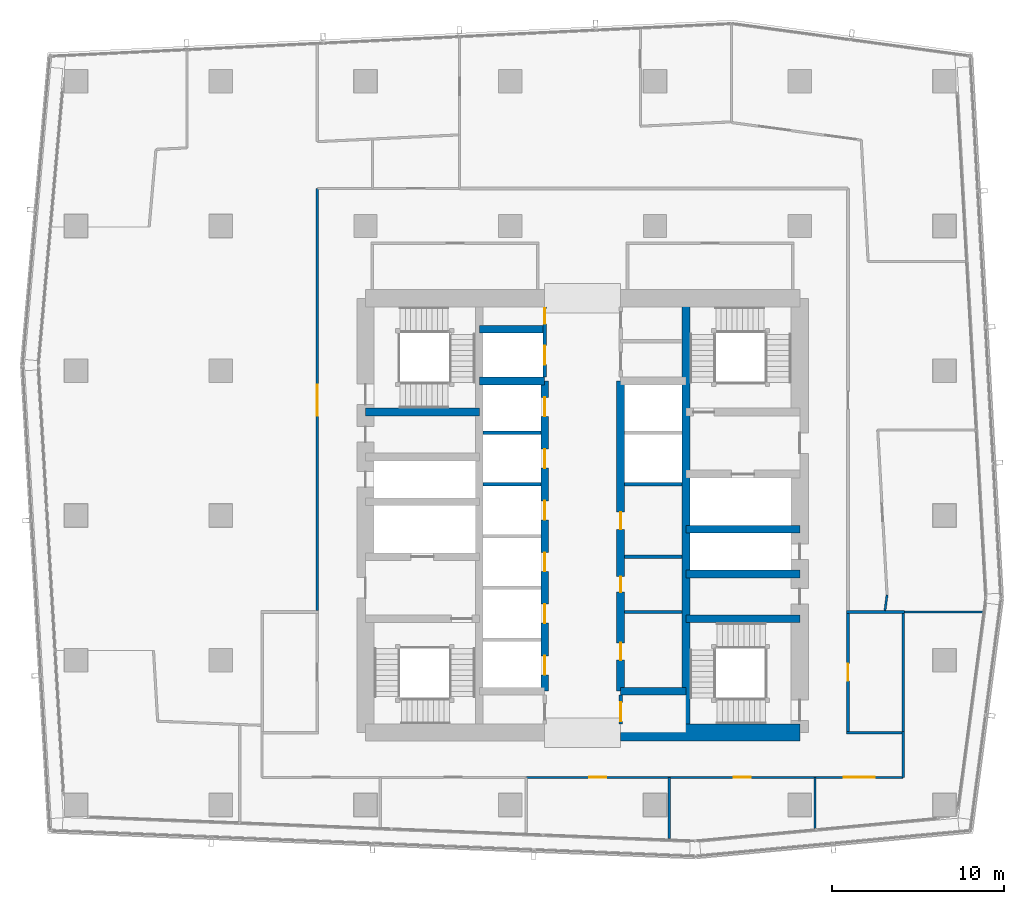
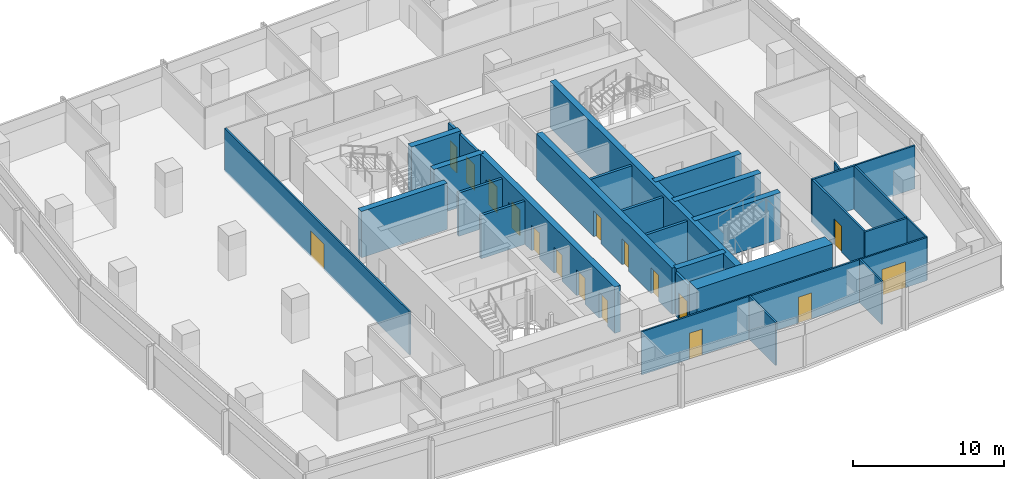
# One storey, part 28 of 40: 31 walls, 17 doors, 17 openings.
"""IFC4 building model written with IfcOpenShell, lengths in metres."""

from ifc_helpers import new_model, si_unit, direction, frame, frame_2d, origin, place, context, subcontext, project, spatial, rectangle, extrude, material, layer, layer_set, type_object, element, fill, save


model = new_model("IFC4")

# Units and contexts
model_context = context("Model", 3, precision=1e-05, world=origin(), true_north=direction((0.0, 1.0)))
body_context = subcontext(model_context, "Body", "Model", "MODEL_VIEW")
ifc_project = project(units=[si_unit("LENGTHUNIT", "METRE"), si_unit("AREAUNIT", "SQUARE_METRE"), si_unit("VOLUMEUNIT", "CUBIC_METRE"), si_unit("PLANEANGLEUNIT", "RADIAN"), si_unit("MASSUNIT", "GRAM", prefix="KILO")], contexts=[model_context])

# Site, building, storey
site_placement = place(None, origin())
site = spatial("IfcSite", under=ifc_project, at=site_placement, CompositionType="ELEMENT")
building_placement = place(site_placement, origin())
building = spatial("IfcBuilding", under=site, at=building_placement, Name="Rekha Terrace Tower", CompositionType="ELEMENT")
storey_placement = place(building_placement, frame((0.0, 0.0, 213.949951171875)))
storey = spatial("IfcBuildingStorey", under=building, at=storey_placement, Name="L54", CompositionType="ELEMENT", Elevation=213.949951171875)

# Wall
ifc_material_1 = material(Name="Concrete M60", Category="concrete")
ifc_layer_1 = layer(ifc_material_1, 0.449951171875)
ifc_layer_set_1 = layer_set([ifc_layer_1], Name="Concrete M60")
wall_type_1 = type_object("IfcWallType", Name="CI3 450 core internal shear wall", PredefinedType="SHEAR", material=ifc_layer_set_1)
wall_1_placement = place(storey_placement, frame((43.800048828125, 21.0, 0.0), z_axis=(0.0, 0.0, 1.0), x_axis=(0.0, 1.0, 0.0)))
element("IfcWall", 1, at=wall_1_placement, inside=storey, type_object=wall_type_1, Name="Core wall X438 L54", PredefinedType="SHEAR", context=body_context, shape_type="SweptSolid", body=[
    extrude(rectangle(XDim=25.199951171875, YDim=0.449951171875, at=frame_2d((12.60009765625, 0.0))), origin(), (0.0, 0.0, 1.0), 3.75),
])

# Wall, openings, doors
wall_2_placement = place(storey_placement, frame((35.60009765625, 23.39990234375, 0.0), z_axis=(0.0, 0.0, 1.0), x_axis=(0.0, 1.0, 0.0)))
wall_2 = element("IfcWall", 2, at=wall_2_placement, inside=storey, type_object=wall_type_1, Name="Core wall X356 L54", PredefinedType="SHEAR", context=body_context, shape_type="SweptSolid", body=[
    extrude(rectangle(XDim=18.0, YDim=0.449951171875, at=frame_2d((9.0, 0.0))), origin(), (0.0, 0.0, 1.0), 3.75),
])
opening_1_placement = place(wall_2_placement, frame((0.949951171875, 0.0, 0.0)))
opening_1 = element("IfcOpeningElement", 3, at=opening_1_placement, cuts=wall_2, Name="Opening LD1", PredefinedType="OPENING", context=body_context, shape_type="SweptSolid", body=[
    extrude(rectangle(XDim=1.10009765625, YDim=2.10009765625, at=frame_2d((0.550048828125, 1.050048828125))), frame((0.0, 0.23486328125, 0.0), z_axis=(0.0, -1.0, 0.0), x_axis=(1.0, 0.0, 0.0)), (0.0, 0.0, 1.0), 0.469970703125),
])
opening_2_placement = place(wall_2_placement, frame((3.949951171875, 0.0, 0.0)))
opening_2 = element("IfcOpeningElement", 4, at=opening_2_placement, cuts=wall_2, Name="Opening LD1", PredefinedType="OPENING", context=body_context, shape_type="SweptSolid", body=[
    extrude(rectangle(XDim=1.10009765625, YDim=2.10009765625, at=frame_2d((0.550048828125, 1.050048828125))), frame((0.0, 0.23486328125, 0.0), z_axis=(0.0, -1.0, 0.0), x_axis=(1.0, 0.0, 0.0)), (0.0, 0.0, 1.0), 0.469970703125),
])
opening_3_placement = place(wall_2_placement, frame((6.949951171875, 0.0, 0.0)))
opening_3 = element("IfcOpeningElement", 5, at=opening_3_placement, cuts=wall_2, Name="Opening LD1", PredefinedType="OPENING", context=body_context, shape_type="SweptSolid", body=[
    extrude(rectangle(XDim=1.10009765625, YDim=2.10009765625, at=frame_2d((0.550048828125, 1.050048828125))), frame((0.0, 0.23486328125, 0.0), z_axis=(0.0, -1.0, 0.0), x_axis=(1.0, 0.0, 0.0)), (0.0, 0.0, 1.0), 0.469970703125),
])
opening_4_placement = place(wall_2_placement, frame((9.949951171875, 0.0, 0.0)))
opening_4 = element("IfcOpeningElement", 6, at=opening_4_placement, cuts=wall_2, Name="Opening LD1", PredefinedType="OPENING", context=body_context, shape_type="SweptSolid", body=[
    extrude(rectangle(XDim=1.10009765625, YDim=2.10009765625, at=frame_2d((0.550048828125, 1.050048828125))), frame((0.0, 0.23486328125, 0.0), z_axis=(0.0, -1.0, 0.0), x_axis=(1.0, 0.0, 0.0)), (0.0, 0.0, 1.0), 0.469970703125),
])
opening_5_placement = place(wall_2_placement, frame((12.949951171875, 0.0, 0.0)))
opening_5 = element("IfcOpeningElement", 7, at=opening_5_placement, cuts=wall_2, Name="Opening LD1", PredefinedType="OPENING", context=body_context, shape_type="SweptSolid", body=[
    extrude(rectangle(XDim=1.10009765625, YDim=2.10009765625, at=frame_2d((0.550048828125, 1.050048828125))), frame((0.0, 0.23486328125, 0.0), z_axis=(0.0, -1.0, 0.0), x_axis=(1.0, 0.0, 0.0)), (0.0, 0.0, 1.0), 0.469970703125),
])
opening_6_placement = place(wall_2_placement, frame((15.949951171875, 0.0, 0.0)))
opening_6 = element("IfcOpeningElement", 8, at=opening_6_placement, cuts=wall_2, Name="Opening LD1", PredefinedType="OPENING", context=body_context, shape_type="SweptSolid", body=[
    extrude(rectangle(XDim=1.10009765625, YDim=2.10009765625, at=frame_2d((0.550048828125, 1.050048828125))), frame((0.0, 0.23486328125, 0.0), z_axis=(0.0, -1.0, 0.0), x_axis=(1.0, 0.0, 0.0)), (0.0, 0.0, 1.0), 0.469970703125),
])
ifc_material_2 = material(Name="Stainless steel sliding landing door", Category="steel")
door_type_1 = type_object("IfcDoorType", Name="LD1 1100x2100 lift landing door", OperationType="SLIDING_TO_LEFT", PredefinedType="USERDEFINED", material=ifc_material_2)
door_1_placement = place(opening_1_placement, origin())
door_1 = element("IfcDoor", 9, at=door_1_placement, inside=storey, type_object=door_type_1, Name="Lift C1 landing door L54", ObjectType="LIFT LANDING DOOR", OperationType="SLIDING_TO_LEFT", OverallHeight=2.10009765625, OverallWidth=1.10009765625, PredefinedType="USERDEFINED", context=body_context, shape_type="SweptSolid", body=[
    extrude(rectangle(XDim=1.10009765625, YDim=2.10009765625, at=frame_2d((0.550048828125, 1.050048828125))), frame((0.0, 0.02490234375, 0.0), z_axis=(0.0, -1.0, 0.0), x_axis=(1.0, 0.0, 0.0)), (0.0, 0.0, 1.0), 0.050048828125),
])
fill(opening_1, door_1)
door_2_placement = place(opening_2_placement, origin())
door_2 = element("IfcDoor", 10, at=door_2_placement, inside=storey, type_object=door_type_1, Name="Lift C2 landing door L54", ObjectType="LIFT LANDING DOOR", OperationType="SLIDING_TO_LEFT", OverallHeight=2.10009765625, OverallWidth=1.10009765625, PredefinedType="USERDEFINED", context=body_context, shape_type="SweptSolid", body=[
    extrude(rectangle(XDim=1.10009765625, YDim=2.10009765625, at=frame_2d((0.550048828125, 1.050048828125))), frame((0.0, 0.02490234375, 0.0), z_axis=(0.0, -1.0, 0.0), x_axis=(1.0, 0.0, 0.0)), (0.0, 0.0, 1.0), 0.050048828125),
])
fill(opening_2, door_2)
door_3_placement = place(opening_3_placement, origin())
door_3 = element("IfcDoor", 11, at=door_3_placement, inside=storey, type_object=door_type_1, Name="Lift C3 landing door L54", ObjectType="LIFT LANDING DOOR", OperationType="SLIDING_TO_LEFT", OverallHeight=2.10009765625, OverallWidth=1.10009765625, PredefinedType="USERDEFINED", context=body_context, shape_type="SweptSolid", body=[
    extrude(rectangle(XDim=1.10009765625, YDim=2.10009765625, at=frame_2d((0.550048828125, 1.050048828125))), frame((0.0, 0.02490234375, 0.0), z_axis=(0.0, -1.0, 0.0), x_axis=(1.0, 0.0, 0.0)), (0.0, 0.0, 1.0), 0.050048828125),
])
fill(opening_3, door_3)
door_4_placement = place(opening_4_placement, origin())
door_4 = element("IfcDoor", 12, at=door_4_placement, inside=storey, type_object=door_type_1, Name="Lift C4 landing door L54", ObjectType="LIFT LANDING DOOR", OperationType="SLIDING_TO_LEFT", OverallHeight=2.10009765625, OverallWidth=1.10009765625, PredefinedType="USERDEFINED", context=body_context, shape_type="SweptSolid", body=[
    extrude(rectangle(XDim=1.10009765625, YDim=2.10009765625, at=frame_2d((0.550048828125, 1.050048828125))), frame((0.0, 0.02490234375, 0.0), z_axis=(0.0, -1.0, 0.0), x_axis=(1.0, 0.0, 0.0)), (0.0, 0.0, 1.0), 0.050048828125),
])
fill(opening_4, door_4)
door_5_placement = place(opening_5_placement, origin())
door_5 = element("IfcDoor", 13, at=door_5_placement, inside=storey, type_object=door_type_1, Name="Lift C5 landing door L54", ObjectType="LIFT LANDING DOOR", OperationType="SLIDING_TO_LEFT", OverallHeight=2.10009765625, OverallWidth=1.10009765625, PredefinedType="USERDEFINED", context=body_context, shape_type="SweptSolid", body=[
    extrude(rectangle(XDim=1.10009765625, YDim=2.10009765625, at=frame_2d((0.550048828125, 1.050048828125))), frame((0.0, 0.02490234375, 0.0), z_axis=(0.0, -1.0, 0.0), x_axis=(1.0, 0.0, 0.0)), (0.0, 0.0, 1.0), 0.050048828125),
])
fill(opening_5, door_5)
door_6_placement = place(opening_6_placement, origin())
door_6 = element("IfcDoor", 14, at=door_6_placement, inside=storey, type_object=door_type_1, Name="Lift C6 landing door L54", ObjectType="LIFT LANDING DOOR", OperationType="SLIDING_TO_LEFT", OverallHeight=2.10009765625, OverallWidth=1.10009765625, PredefinedType="USERDEFINED", context=body_context, shape_type="SweptSolid", body=[
    extrude(rectangle(XDim=1.10009765625, YDim=2.10009765625, at=frame_2d((0.550048828125, 1.050048828125))), frame((0.0, 0.02490234375, 0.0), z_axis=(0.0, -1.0, 0.0), x_axis=(1.0, 0.0, 0.0)), (0.0, 0.0, 1.0), 0.050048828125),
])
fill(opening_6, door_6)

wall_3_placement = place(storey_placement, frame((40.0, 23.39990234375, 0.0), z_axis=(0.0, 0.0, 1.0), x_axis=(0.0, 1.0, 0.0)))
wall_3 = element("IfcWall", 15, at=wall_3_placement, inside=storey, type_object=wall_type_1, Name="Core wall X400 L54", PredefinedType="SHEAR", context=body_context, shape_type="SweptSolid", body=[
    extrude(rectangle(XDim=18.0, YDim=0.449951171875, at=frame_2d((9.0, 0.0))), origin(), (0.0, 0.0, 1.0), 3.75),
])
opening_7_placement = place(wall_3_placement, frame((1.800048828125, 0.0, 0.0)))
opening_7 = element("IfcOpeningElement", 16, at=opening_7_placement, cuts=wall_3, Name="Opening D3", PredefinedType="OPENING", context=body_context, shape_type="SweptSolid", body=[
    extrude(rectangle(XDim=1.0, YDim=2.10009765625, at=frame_2d((0.5, 1.050048828125))), frame((0.0, 0.23486328125, 0.0), z_axis=(0.0, -1.0, 0.0), x_axis=(1.0, 0.0, 0.0)), (0.0, 0.0, 1.0), 0.469970703125),
])
opening_8_placement = place(wall_3_placement, frame((5.75, 0.0, 0.0)))
opening_8 = element("IfcOpeningElement", 17, at=opening_8_placement, cuts=wall_3, Name="Opening D5", PredefinedType="OPENING", context=body_context, shape_type="SweptSolid", body=[
    extrude(rectangle(XDim=0.89990234375, YDim=2.10009765625, at=frame_2d((0.449951171875, 1.050048828125))), frame((0.0, 0.23486328125, 0.0), z_axis=(0.0, -1.0, 0.0), x_axis=(1.0, 0.0, 0.0)), (0.0, 0.0, 1.0), 0.469970703125),
])
opening_9_placement = place(wall_3_placement, frame((9.39990234375, 0.0, 0.0)))
opening_9 = element("IfcOpeningElement", 18, at=opening_9_placement, cuts=wall_3, Name="Opening D3", PredefinedType="OPENING", context=body_context, shape_type="SweptSolid", body=[
    extrude(rectangle(XDim=1.0, YDim=2.10009765625, at=frame_2d((0.5, 1.050048828125))), frame((0.0, 0.23486328125, 0.0), z_axis=(0.0, -1.0, 0.0), x_axis=(1.0, 0.0, 0.0)), (0.0, 0.0, 1.0), 0.469970703125),
])
ifc_material_3 = material(Name="Laminated timber fire door", Category="wood")
door_type_2 = type_object("IfcDoorType", Name="D3 1000x2100 WC door", OperationType="SINGLE_SWING_LEFT", PredefinedType="DOOR", material=ifc_material_3)
door_7_placement = place(opening_7_placement, origin())
door_7 = element("IfcDoor", 19, at=door_7_placement, inside=storey, type_object=door_type_2, Name="Door staff wc L54", OperationType="SINGLE_SWING_LEFT", OverallHeight=2.10009765625, OverallWidth=1.0, PredefinedType="DOOR", context=body_context, shape_type="SweptSolid", body=[
    extrude(rectangle(XDim=1.0, YDim=2.10009765625, at=frame_2d((0.5, 1.050048828125))), frame((0.0, 0.02490234375, 0.0), z_axis=(0.0, -1.0, 0.0), x_axis=(1.0, 0.0, 0.0)), (0.0, 0.0, 1.0), 0.050048828125),
])
fill(opening_7, door_7)
door_8_placement = place(opening_9_placement, origin())
door_8 = element("IfcDoor", 20, at=door_8_placement, inside=storey, type_object=door_type_2, Name="Door staff wc L54", OperationType="SINGLE_SWING_LEFT", OverallHeight=2.10009765625, OverallWidth=1.0, PredefinedType="DOOR", context=body_context, shape_type="SweptSolid", body=[
    extrude(rectangle(XDim=1.0, YDim=2.10009765625, at=frame_2d((0.5, 1.050048828125))), frame((0.0, 0.02490234375, 0.0), z_axis=(0.0, -1.0, 0.0), x_axis=(1.0, 0.0, 0.0)), (0.0, 0.0, 1.0), 0.050048828125),
])
fill(opening_9, door_8)
ifc_material_4 = material(Name="Steel fire door", Category="steel")
door_type_3 = type_object("IfcDoorType", Name="D5 900x2100 riser access door", OperationType="SINGLE_SWING_LEFT", PredefinedType="DOOR", material=ifc_material_4)
door_9_placement = place(opening_8_placement, origin())
door_9 = element("IfcDoor", 21, at=door_9_placement, inside=storey, type_object=door_type_3, Name="Door records store L54", OperationType="SINGLE_SWING_LEFT", OverallHeight=2.10009765625, OverallWidth=0.89990234375, PredefinedType="DOOR", context=body_context, shape_type="SweptSolid", body=[
    extrude(rectangle(XDim=0.89990234375, YDim=2.10009765625, at=frame_2d((0.449951171875, 1.050048828125))), frame((0.0, 0.02490234375, 0.0), z_axis=(0.0, -1.0, 0.0), x_axis=(1.0, 0.0, 0.0)), (0.0, 0.0, 1.0), 0.050048828125),
])
fill(opening_8, door_9)

# Walls
for number, where, z_axis, x_axis, name in (
    (22, (31.800048828125, 41.39990234375, 0.0), (0.0, 0.0, 1.0), (1.0, 0.0, 0.0), "Core wall Y414W L54"),
    (23, (31.800048828125, 44.39990234375, 0.0), (0.0, 0.0, 1.0), (1.0, 0.0, 0.0), "Core wall Y444W L54"),
    (24, (40.0, 23.39990234375, 0.0), (0.0, 0.0, 1.0), (1.0, 0.0, 0.0), "Core wall Y234E L54"),
):
    element("IfcWall", number, at=place(storey_placement, frame(where, z_axis=z_axis, x_axis=x_axis)), inside=storey, type_object=wall_type_1, Name=name, PredefinedType="SHEAR", context=body_context, shape_type="SweptSolid", body=[
        extrude(rectangle(XDim=3.800048828125, YDim=0.449951171875, at=frame_2d((1.89990234375, 0.0))), origin(), (0.0, 0.0, 1.0), 3.75),
    ])
wall_4_placement = place(storey_placement, frame((25.199951171875, 39.60009765625, 0.0), z_axis=(0.0, 0.0, 1.0), x_axis=(1.0, 0.0, 0.0)))
element("IfcWall", 25, at=wall_4_placement, inside=storey, type_object=wall_type_1, Name="Core wall Y396W L54", PredefinedType="SHEAR", context=body_context, shape_type="SweptSolid", body=[
    extrude(rectangle(XDim=6.60009765625, YDim=0.449951171875, at=frame_2d((3.300048828125, 0.0))), origin(), (0.0, 0.0, 1.0), 3.75),
])
for number, where, z_axis, x_axis, name in (
    (26, (43.800048828125, 27.60009765625, 0.0), (0.0, 0.0, 1.0), (1.0, 0.0, 0.0), "Core wall Y276E L54"),
    (27, (43.800048828125, 30.199951171875, 0.0), (0.0, 0.0, 1.0), (1.0, 0.0, 0.0), "Core wall Y302E L54"),
    (28, (43.800048828125, 32.800048828125, 0.0), (0.0, 0.0, 1.0), (1.0, 0.0, 0.0), "Core wall Y328E L54"),
):
    element("IfcWall", number, at=place(storey_placement, frame(where, z_axis=z_axis, x_axis=x_axis)), inside=storey, type_object=wall_type_1, Name=name, PredefinedType="SHEAR", context=body_context, shape_type="SweptSolid", body=[
        extrude(rectangle(XDim=6.599853515625, YDim=0.449951171875, at=frame_2d((3.2998046875, 0.0))), origin(), (0.0, 0.0, 1.0), 3.75),
    ])
ifc_layer_2 = layer(ifc_material_1, 1.0)
ifc_layer_set_2 = layer_set([ifc_layer_2], Name="Concrete M60")
wall_type_2 = type_object("IfcWallType", Name="SW3 1000 core outer shear wall", PredefinedType="SHEAR", material=ifc_layer_set_2)
wall_5_placement = place(storey_placement, frame((40.0, 21.0, 0.0), z_axis=(0.0, 0.0, 1.0), x_axis=(1.0, 0.0, 0.0)))
element("IfcWall", 29, at=wall_5_placement, inside=storey, type_object=wall_type_2, Name="Core wall S2 L54", PredefinedType="SHEAR", context=body_context, shape_type="SweptSolid", body=[
    extrude(rectangle(XDim=10.39990234375, YDim=1.0, at=frame_2d((5.199951171875, 0.0))), origin(), (0.0, 0.0, 1.0), 3.75),
])
ifc_material_5 = material(Name="Concrete block masonry, 1 hour", Category="masonry")
ifc_layer_3 = layer(ifc_material_5, 0.14990234375)
ifc_layer_set_3 = layer_set([ifc_layer_3], Name="Concrete block masonry, 1 hour")
wall_type_3 = type_object("IfcWallType", Name="WP2 150 tenancy partition", PredefinedType="PARTITIONING", material=ifc_layer_set_3)
for number, where, z_axis, x_axis, name in (
    (30, (53.125, 21.0, 0.0), (0.0, 0.0, 1.0), (1.0, 0.0, 0.0), "Men's WC wall L54"),
    (31, (53.125, 28.0, 0.0), (0.0, 0.0, 1.0), (1.0, 0.0, 0.0), "Men's WC wall L54"),
):
    element("IfcWall", number, at=place(storey_placement, frame(where, z_axis=z_axis, x_axis=x_axis)), inside=storey, type_object=wall_type_3, Name=name, PredefinedType="PARTITIONING", context=body_context, shape_type="SweptSolid", body=[
        extrude(rectangle(XDim=3.35009765625, YDim=0.14990234375, at=frame_2d((1.675048828125, 0.0))), origin(), (0.0, 0.0, 1.0), 3.5),
    ])

# Wall, opening, door
wall_6_placement = place(storey_placement, frame((53.199951171875, 21.074951171875, 0.0), z_axis=(0.0, 0.0, 1.0), x_axis=(0.0, 1.0, 0.0)))
wall_6 = element("IfcWall", 32, at=wall_6_placement, inside=storey, type_object=wall_type_3, Name="Men's WC wall L54", PredefinedType="PARTITIONING", context=body_context, shape_type="SweptSolid", body=[
    extrude(rectangle(XDim=6.85009765625, YDim=0.14990234375, at=frame_2d((3.425048828125, 0.0))), origin(), (0.0, 0.0, 1.0), 3.5),
])
opening_10_placement = place(wall_6_placement, frame((2.925048828125, 0.0, 0.0)))
opening_10 = element("IfcOpeningElement", 33, at=opening_10_placement, cuts=wall_6, Name="Opening D3", PredefinedType="OPENING", context=body_context, shape_type="SweptSolid", body=[
    extrude(rectangle(XDim=1.0, YDim=2.10009765625, at=frame_2d((0.5, 1.050048828125))), frame((0.0, 0.0849609375, 0.0), z_axis=(0.0, -1.0, 0.0), x_axis=(1.0, 0.0, 0.0)), (0.0, 0.0, 1.0), 0.169921875),
])
door_10_placement = place(opening_10_placement, origin())
door_10 = element("IfcDoor", 34, at=door_10_placement, inside=storey, type_object=door_type_2, Name="Door men's wc L54", OperationType="SINGLE_SWING_LEFT", OverallHeight=2.10009765625, OverallWidth=1.0, PredefinedType="DOOR", context=body_context, shape_type="SweptSolid", body=[
    extrude(rectangle(XDim=1.0, YDim=2.10009765625, at=frame_2d((0.5, 1.050048828125))), frame((0.0, 0.02490234375, 0.0), z_axis=(0.0, -1.0, 0.0), x_axis=(1.0, 0.0, 0.0)), (0.0, 0.0, 1.0), 0.050048828125),
])
fill(opening_10, door_10)

# Wall
wall_7_placement = place(storey_placement, frame((56.39990234375, 21.074951171875, 0.0), z_axis=(0.0, 0.0, 1.0), x_axis=(0.0, 1.0, 0.0)))
element("IfcWall", 35, at=wall_7_placement, inside=storey, type_object=wall_type_3, Name="Men's WC wall L54", PredefinedType="PARTITIONING", context=body_context, shape_type="SweptSolid", body=[
    extrude(rectangle(XDim=6.85009765625, YDim=0.14990234375, at=frame_2d((3.425048828125, 0.0))), origin(), (0.0, 0.0, 1.0), 3.5),
])

# Wall, opening, door
ifc_material_6 = material(Name="Two layers of fire-rated gypsum board each side on steel studs, acoustic quilt, 1 hour", Category="steel")
ifc_layer_4 = layer(ifc_material_6, 0.125)
ifc_layer_set_4 = layer_set([ifc_layer_4], Name="Two layers of fire-rated gypsum board each side on steel studs, acoustic quilt, 1 hour")
wall_type_4 = type_object("IfcWallType", Name="WP3 125 office partition", PredefinedType="PARTITIONING", material=ifc_layer_set_4)
wall_8_placement = place(storey_placement, frame((34.531005859375, 18.39990234375, 0.0), z_axis=(0.0, 0.0, 1.0), x_axis=(1.0, 0.0, 0.0)))
wall_8 = element("IfcWall", 36, at=wall_8_placement, inside=storey, type_object=wall_type_4, Name="Partition L54-02", PredefinedType="PARTITIONING", context=body_context, shape_type="SweptSolid", body=[
    extrude(rectangle(XDim=8.2919921875, YDim=0.125, at=frame_2d((4.14599609375, 0.0))), origin(), (0.0, 0.0, 1.0), 3.5),
])
opening_11_placement = place(wall_8_placement, frame((3.64599609375, 0.0, 0.0)))
opening_11 = element("IfcOpeningElement", 37, at=opening_11_placement, cuts=wall_8, Name="Opening D9", PredefinedType="OPENING", context=body_context, shape_type="SweptSolid", body=[
    extrude(rectangle(XDim=1.0, YDim=2.10009765625, at=frame_2d((0.5, 1.050048828125))), frame((0.0, 0.072509765625, 0.0), z_axis=(0.0, -1.0, 0.0), x_axis=(1.0, 0.0, 0.0)), (0.0, 0.0, 1.0), 0.14501953125),
])
ifc_material_7 = material(Name="Timber fire door", Category="wood")
door_type_4 = type_object("IfcDoorType", Name="D9 1000x2100 office door", OperationType="SINGLE_SWING_LEFT", PredefinedType="DOOR", material=ifc_material_7)
door_11_placement = place(opening_11_placement, origin())
door_11 = element("IfcDoor", 38, at=door_11_placement, inside=storey, type_object=door_type_4, Name="Door meeting room L54", OperationType="SINGLE_SWING_LEFT", OverallHeight=2.10009765625, OverallWidth=1.0, PredefinedType="DOOR", context=body_context, shape_type="SweptSolid", body=[
    extrude(rectangle(XDim=1.0, YDim=2.10009765625, at=frame_2d((0.5, 1.050048828125))), frame((0.0, 0.02490234375, 0.0), z_axis=(0.0, -1.0, 0.0), x_axis=(1.0, 0.0, 0.0)), (0.0, 0.0, 1.0), 0.050048828125),
])
fill(opening_11, door_11)

# Wall
wall_9_placement = place(storey_placement, frame((42.822998046875, 18.39990234375, 0.0), z_axis=(0.0, 0.0, 1.0), x_axis=(0.0, -1.0, 0.0)))
element("IfcWall", 39, at=wall_9_placement, inside=storey, type_object=wall_type_4, Name="Partition L54-02", PredefinedType="PARTITIONING", context=body_context, shape_type="SweptSolid", body=[
    extrude(rectangle(XDim=3.548828125, YDim=0.125, at=frame_2d((1.7744140625, 0.0))), origin(), (0.0, 0.0, 1.0), 3.5),
])

# Wall, opening, door
wall_10_placement = place(storey_placement, frame((42.823974609375, 18.39990234375, 0.0), z_axis=(0.0, 0.0, 1.0), x_axis=(1.0, 0.0, 0.0)))
wall_10 = element("IfcWall", 40, at=wall_10_placement, inside=storey, type_object=wall_type_4, Name="Partition L54-03", PredefinedType="PARTITIONING", context=body_context, shape_type="SweptSolid", body=[
    extrude(rectangle(XDim=8.466064453125, YDim=0.125, at=frame_2d((4.23291015625, 0.0))), origin(), (0.0, 0.0, 1.0), 3.5),
])
opening_12_placement = place(wall_10_placement, frame((3.73291015625, 0.0, 0.0)))
opening_12 = element("IfcOpeningElement", 41, at=opening_12_placement, cuts=wall_10, Name="Opening D9", PredefinedType="OPENING", context=body_context, shape_type="SweptSolid", body=[
    extrude(rectangle(XDim=1.0, YDim=2.10009765625, at=frame_2d((0.5, 1.050048828125))), frame((0.0, 0.072509765625, 0.0), z_axis=(0.0, -1.0, 0.0), x_axis=(1.0, 0.0, 0.0)), (0.0, 0.0, 1.0), 0.14501953125),
])
door_12_placement = place(opening_12_placement, origin())
door_12 = element("IfcDoor", 42, at=door_12_placement, inside=storey, type_object=door_type_4, Name="Door pantry L54", OperationType="SINGLE_SWING_LEFT", OverallHeight=2.10009765625, OverallWidth=1.0, PredefinedType="DOOR", context=body_context, shape_type="SweptSolid", body=[
    extrude(rectangle(XDim=1.0, YDim=2.10009765625, at=frame_2d((0.5, 1.050048828125))), frame((0.0, 0.02490234375, 0.0), z_axis=(0.0, -1.0, 0.0), x_axis=(1.0, 0.0, 0.0)), (0.0, 0.0, 1.0), 0.050048828125),
])
fill(opening_12, door_12)

# Walls
wall_11_placement = place(storey_placement, frame((51.2900390625, 18.39990234375, 0.0), z_axis=(0.0, 0.0, 1.0), x_axis=(0.0, -1.0, 0.0)))
element("IfcWall", 43, at=wall_11_placement, inside=storey, type_object=wall_type_4, Name="Partition L54-03", PredefinedType="PARTITIONING", context=body_context, shape_type="SweptSolid", body=[
    extrude(rectangle(XDim=2.9580078125, YDim=0.125, at=frame_2d((1.47900390625, 0.0))), origin(), (0.0, 0.0, 1.0), 3.5),
])
wall_12_placement = place(storey_placement, frame((56.47607421875, 28.0, 0.0), z_axis=(0.0, 0.0, 1.0), x_axis=(1.0, 0.0, 0.0)))
element("IfcWall", 44, at=wall_12_placement, inside=storey, type_object=wall_type_4, Name="Partition L54-04", PredefinedType="PARTITIONING", context=body_context, shape_type="SweptSolid", body=[
    extrude(rectangle(XDim=4.555908203125, YDim=0.125, at=frame_2d((2.27783203125, 0.0))), origin(), (0.0, 0.0, 1.0), 3.5),
])

# Wall, opening, door
wall_13_placement = place(storey_placement, frame((51.291015625, 18.39990234375, 0.0), z_axis=(0.0, 0.0, 1.0), x_axis=(1.0, 0.0, 0.0)))
wall_13 = element("IfcWall", 45, at=wall_13_placement, inside=storey, type_object=wall_type_4, Name="Partition L54-04", PredefinedType="PARTITIONING", context=body_context, shape_type="SweptSolid", body=[
    extrude(rectangle(XDim=5.10888671875, YDim=0.125, at=frame_2d((2.554443359375, 0.0))), origin(), (0.0, 0.0, 1.0), 3.5),
])
opening_13_placement = place(wall_13_placement, frame((1.655029296875, 0.0, 0.0)))
opening_13 = element("IfcOpeningElement", 46, at=opening_13_placement, cuts=wall_13, Name="Opening D8", PredefinedType="OPENING", context=body_context, shape_type="SweptSolid", body=[
    extrude(rectangle(XDim=1.800048828125, YDim=2.10009765625, at=frame_2d((0.89990234375, 1.050048828125))), frame((0.0, 0.072509765625, 0.0), z_axis=(0.0, -1.0, 0.0), x_axis=(1.0, 0.0, 0.0)), (0.0, 0.0, 1.0), 0.14501953125),
])
door_type_5 = type_object("IfcDoorType", Name="D8 1800x2100 double leaf door", OperationType="DOUBLE_DOOR_SINGLE_SWING", PredefinedType="DOOR", material=ifc_material_7)
door_13_placement = place(opening_13_placement, origin())
door_13 = element("IfcDoor", 47, at=door_13_placement, inside=storey, type_object=door_type_5, Name="Door board meeting room L54", OperationType="DOUBLE_DOOR_SINGLE_SWING", OverallHeight=2.10009765625, OverallWidth=1.800048828125, PredefinedType="DOOR", context=body_context, shape_type="SweptSolid", body=[
    extrude(rectangle(XDim=1.800048828125, YDim=2.10009765625, at=frame_2d((0.89990234375, 1.050048828125))), frame((0.0, 0.02490234375, 0.0), z_axis=(0.0, -1.0, 0.0), x_axis=(1.0, 0.0, 0.0)), (0.0, 0.0, 1.0), 0.050048828125),
])
fill(opening_13, door_13)

# Walls
wall_14_placement = place(storey_placement, frame((56.39990234375, 18.39990234375, 0.0), z_axis=(0.0, 0.0, 1.0), x_axis=(0.0, 1.0, 0.0)))
element("IfcWall", 48, at=wall_14_placement, inside=storey, type_object=wall_type_4, Name="Partition L54-04", PredefinedType="PARTITIONING", context=body_context, shape_type="SweptSolid", body=[
    extrude(rectangle(XDim=2.675048828125, YDim=0.125, at=frame_2d((1.33740234375, 0.0))), origin(), (0.0, 0.0, 1.0), 3.5),
])
wall_15_placement = place(storey_placement, frame((55.343017578125, 28.074951171875, 0.0), z_axis=(0.0, 0.0, 1.0), x_axis=(0.131509017553, 0.991314974316, 0.0)))
element("IfcWall", 49, at=wall_15_placement, inside=storey, type_object=wall_type_4, Name="Partition L54-05", PredefinedType="PARTITIONING", context=body_context, shape_type="SweptSolid", body=[
    extrude(rectangle(XDim=0.92822265625, YDim=0.125, at=frame_2d((0.464111328125, 0.0))), origin(), (0.0, 0.0, 1.0), 3.5),
])

# Wall, opening, door
wall_16_placement = place(storey_placement, frame((22.39990234375, 52.574951171875, 0.0), z_axis=(0.0, 0.0, 1.0), x_axis=(0.0, -1.0, 0.0)))
wall_16 = element("IfcWall", 50, at=wall_16_placement, inside=storey, type_object=wall_type_4, Name="Partition L54-15", PredefinedType="PARTITIONING", context=body_context, shape_type="SweptSolid", body=[
    extrude(rectangle(XDim=24.5, YDim=0.125, at=frame_2d((12.25, 0.0))), origin(), (0.0, 0.0, 1.0), 3.5),
])
opening_14_placement = place(wall_16_placement, frame((11.387939453125, 0.0, 0.0)))
opening_14 = element("IfcOpeningElement", 51, at=opening_14_placement, cuts=wall_16, Name="Opening D8", PredefinedType="OPENING", context=body_context, shape_type="SweptSolid", body=[
    extrude(rectangle(XDim=1.800048828125, YDim=2.10009765625, at=frame_2d((0.89990234375, 1.050048828125))), frame((0.0, 0.072509765625, 0.0), z_axis=(0.0, -1.0, 0.0), x_axis=(1.0, 0.0, 0.0)), (0.0, 0.0, 1.0), 0.14501953125),
])
door_14_placement = place(opening_14_placement, origin())
door_14 = element("IfcDoor", 52, at=door_14_placement, inside=storey, type_object=door_type_5, Name="Door reception L54", OperationType="DOUBLE_DOOR_SINGLE_SWING", OverallHeight=2.10009765625, OverallWidth=1.800048828125, PredefinedType="DOOR", context=body_context, shape_type="SweptSolid", body=[
    extrude(rectangle(XDim=1.800048828125, YDim=2.10009765625, at=frame_2d((0.89990234375, 1.050048828125))), frame((0.0, 0.02490234375, 0.0), z_axis=(0.0, -1.0, 0.0), x_axis=(1.0, 0.0, 0.0)), (0.0, 0.0, 1.0), 0.050048828125),
])
fill(opening_14, door_14)

# Walls
ifc_material_8 = material(Name="Solid concrete block masonry, 2 hour", Category="masonry")
ifc_layer_5 = layer(ifc_material_8, 0.199951171875)
ifc_layer_set_5 = layer_set([ifc_layer_5], Name="Solid concrete block masonry, 2 hour")
wall_type_5 = type_object("IfcWallType", Name="WS1 200 stair and shaft enclosure", PredefinedType="PARTITIONING", material=ifc_layer_set_5)
for number, where, z_axis, x_axis, name in (
    (53, (32.02490234375, 35.39990234375, 0.0), (0.0, 0.0, 1.0), (1.0, 0.0, 0.0), "Lift shaft divider L54"),
    (54, (32.02490234375, 38.39990234375, 0.0), (0.0, 0.0, 1.0), (1.0, 0.0, 0.0), "Lift shaft divider L54"),
):
    element("IfcWall", number, at=place(storey_placement, frame(where, z_axis=z_axis, x_axis=x_axis)), inside=storey, type_object=wall_type_5, Name=name, PredefinedType="PARTITIONING", context=body_context, shape_type="SweptSolid", body=[
        extrude(rectangle(XDim=3.35009765625, YDim=0.199951171875, at=frame_2d((1.675048828125, 0.0))), origin(), (0.0, 0.0, 1.0), 3.5),
    ])
wall_17_placement = place(storey_placement, frame((40.22509765625, 35.39990234375, 0.0), z_axis=(0.0, 0.0, 1.0), x_axis=(1.0, 0.0, 0.0)))
element("IfcWall", 55, at=wall_17_placement, inside=storey, type_object=wall_type_5, Name="Lift shaft divider L54", PredefinedType="PARTITIONING", context=body_context, shape_type="SweptSolid", body=[
    extrude(rectangle(XDim=3.349853515625, YDim=0.199951171875, at=frame_2d((1.6748046875, 0.0))), origin(), (0.0, 0.0, 1.0), 3.5),
])

# Wall, opening, door
wall_18_placement = place(storey_placement, frame((40.0, 21.5, 0.0), z_axis=(0.0, 0.0, 1.0), x_axis=(0.0, 1.0, 0.0)))
wall_18 = element("IfcWall", 56, at=wall_18_placement, inside=storey, type_object=wall_type_5, Name="Core partition wca L54", PredefinedType="PARTITIONING", context=body_context, shape_type="SweptSolid", body=[
    extrude(rectangle(XDim=1.675048828125, YDim=0.199951171875, at=frame_2d((0.83740234375, 0.0))), origin(), (0.0, 0.0, 1.0), 3.5),
])
opening_15_placement = place(wall_18_placement, frame((0.14990234375, 0.0, 0.0)))
opening_15 = element("IfcOpeningElement", 57, at=opening_15_placement, cuts=wall_18, Name="Opening D4", PredefinedType="OPENING", context=body_context, shape_type="SweptSolid", body=[
    extrude(rectangle(XDim=1.10009765625, YDim=2.10009765625, at=frame_2d((0.550048828125, 1.050048828125))), frame((0.0, 0.10986328125, 0.0), z_axis=(0.0, -1.0, 0.0), x_axis=(1.0, 0.0, 0.0)), (0.0, 0.0, 1.0), 0.219970703125),
])
door_type_6 = type_object("IfcDoorType", Name="D4 1100x2100 accessible WC door", OperationType="SLIDING_TO_LEFT", PredefinedType="DOOR", material=ifc_material_3)
door_15_placement = place(opening_15_placement, origin())
door_15 = element("IfcDoor", 58, at=door_15_placement, inside=storey, type_object=door_type_6, Name="Door wca L54", OperationType="SLIDING_TO_LEFT", OverallHeight=2.10009765625, OverallWidth=1.10009765625, PredefinedType="DOOR", context=body_context, shape_type="SweptSolid", body=[
    extrude(rectangle(XDim=1.10009765625, YDim=2.10009765625, at=frame_2d((0.550048828125, 1.050048828125))), frame((0.0, 0.02490234375, 0.0), z_axis=(0.0, -1.0, 0.0), x_axis=(1.0, 0.0, 0.0)), (0.0, 0.0, 1.0), 0.050048828125),
])
fill(opening_15, door_15)

# Wall, openings, doors
wall_19_placement = place(storey_placement, frame((35.60009765625, 41.625, 0.0), z_axis=(0.0, 0.0, 1.0), x_axis=(0.0, 1.0, 0.0)))
wall_19 = element("IfcWall", 59, at=wall_19_placement, inside=storey, type_object=wall_type_5, Name="Core partition jansv L54", PredefinedType="PARTITIONING", context=body_context, shape_type="SweptSolid", body=[
    extrude(rectangle(XDim=4.074951171875, YDim=0.199951171875, at=frame_2d((2.03759765625, 0.0))), origin(), (0.0, 0.0, 1.0), 3.5),
])
opening_16_placement = place(wall_19_placement, frame((3.087890625, 0.0, 0.0)))
opening_16 = element("IfcOpeningElement", 60, at=opening_16_placement, cuts=wall_19, Name="Opening D5", PredefinedType="OPENING", context=body_context, shape_type="SweptSolid", body=[
    extrude(rectangle(XDim=0.89990234375, YDim=2.10009765625, at=frame_2d((0.449951171875, 1.050048828125))), frame((0.0, 0.10986328125, 0.0), z_axis=(0.0, -1.0, 0.0), x_axis=(1.0, 0.0, 0.0)), (0.0, 0.0, 1.0), 0.219970703125),
])
opening_17_placement = place(wall_19_placement, frame((0.72509765625, 0.0, 0.0)))
opening_17 = element("IfcOpeningElement", 61, at=opening_17_placement, cuts=wall_19, Name="Opening LD1", PredefinedType="OPENING", context=body_context, shape_type="SweptSolid", body=[
    extrude(rectangle(XDim=1.10009765625, YDim=2.10009765625, at=frame_2d((0.550048828125, 1.050048828125))), frame((0.0, 0.10986328125, 0.0), z_axis=(0.0, -1.0, 0.0), x_axis=(1.0, 0.0, 0.0)), (0.0, 0.0, 1.0), 0.219970703125),
])
door_16_placement = place(opening_16_placement, origin())
door_16 = element("IfcDoor", 62, at=door_16_placement, inside=storey, type_object=door_type_3, Name="Door janitor room L54", OperationType="SINGLE_SWING_LEFT", OverallHeight=2.10009765625, OverallWidth=0.89990234375, PredefinedType="DOOR", context=body_context, shape_type="SweptSolid", body=[
    extrude(rectangle(XDim=0.89990234375, YDim=2.10009765625, at=frame_2d((0.449951171875, 1.050048828125))), frame((0.0, 0.02490234375, 0.0), z_axis=(0.0, -1.0, 0.0), x_axis=(1.0, 0.0, 0.0)), (0.0, 0.0, 1.0), 0.050048828125),
])
fill(opening_16, door_16)
door_17_placement = place(opening_17_placement, origin())
door_17 = element("IfcDoor", 63, at=door_17_placement, inside=storey, type_object=door_type_1, Name="Lift SV1 landing door L54", ObjectType="LIFT LANDING DOOR", OperationType="SLIDING_TO_LEFT", OverallHeight=2.10009765625, OverallWidth=1.10009765625, PredefinedType="USERDEFINED", context=body_context, shape_type="SweptSolid", body=[
    extrude(rectangle(XDim=1.10009765625, YDim=2.10009765625, at=frame_2d((0.550048828125, 1.050048828125))), frame((0.0, 0.02490234375, 0.0), z_axis=(0.0, -1.0, 0.0), x_axis=(1.0, 0.0, 0.0)), (0.0, 0.0, 1.0), 0.050048828125),
])
fill(opening_17, door_17)

# Walls
for number, where, z_axis, x_axis, name in (
    (64, (40.22509765625, 28.0, 0.0), (0.0, 0.0, 1.0), (1.0, 0.0, 0.0), "Core partition freed shafts L54"),
    (65, (40.22509765625, 31.199951171875, 0.0), (0.0, 0.0, 1.0), (1.0, 0.0, 0.0), "Core partition freed shafts L54"),
):
    element("IfcWall", number, at=place(storey_placement, frame(where, z_axis=z_axis, x_axis=x_axis)), inside=storey, type_object=wall_type_5, Name=name, PredefinedType="PARTITIONING", context=body_context, shape_type="SweptSolid", body=[
        extrude(rectangle(XDim=3.349853515625, YDim=0.199951171875, at=frame_2d((1.6748046875, 0.0))), origin(), (0.0, 0.0, 1.0), 3.5),
    ])

save(model, "model.ifc")
